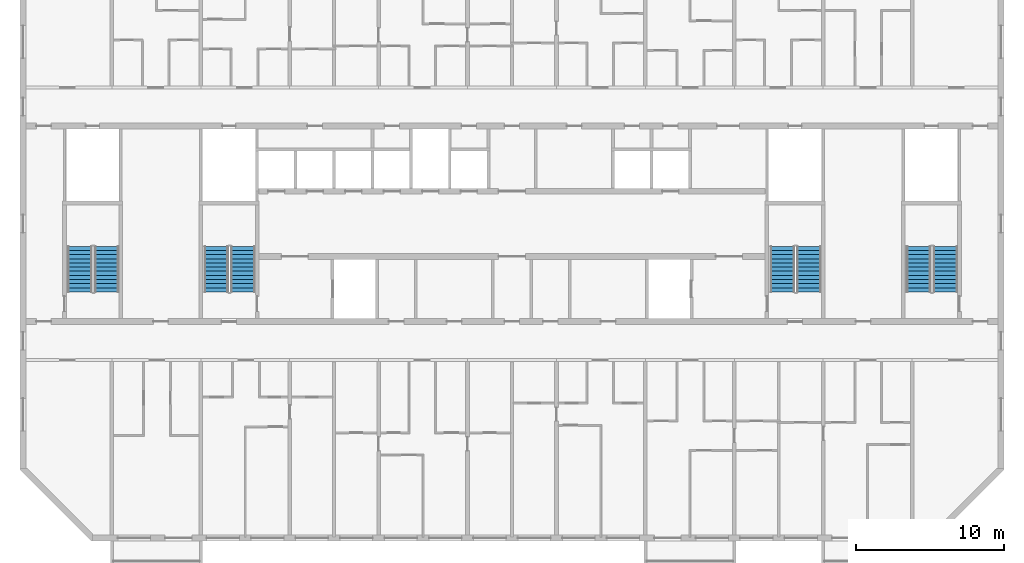
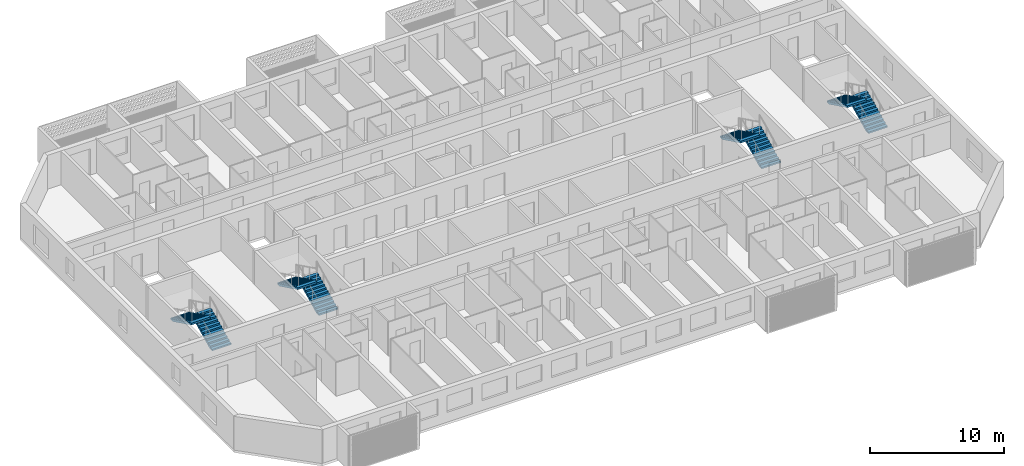
# One storey, part 12 of 28: 8 stair flights, 4 elements without a shape of their own.
"""IFC4 building model written with IfcOpenShell, lengths in metres."""

from ifc_helpers import new_model, si_unit, direction, frame, origin, place, context, subcontext, project, spatial, polyline, outline, extrude, material, layer, layer_set, type_object, element, aggregate, save


model = new_model("IFC4")

# Units and contexts
model_context = context("Model", 3, precision=1e-05, world=origin(), true_north=direction((0.0, 1.0)))
body_context = subcontext(model_context, "Body", "Model", "MODEL_VIEW")
ifc_project = project(units=[si_unit("LENGTHUNIT", "METRE"), si_unit("AREAUNIT", "SQUARE_METRE"), si_unit("VOLUMEUNIT", "CUBIC_METRE"), si_unit("PLANEANGLEUNIT", "RADIAN"), si_unit("MASSUNIT", "GRAM", prefix="KILO")], contexts=[model_context])

# Site, building, storey
site_placement = place(None, origin())
site = spatial("IfcSite", under=ifc_project, at=site_placement, CompositionType="ELEMENT")
building_placement = place(site_placement, origin())
building = spatial("IfcBuilding", under=site, at=building_placement, Name="Poui Terraces", CompositionType="ELEMENT")
storey_placement = place(building_placement, frame((0.0, 0.0, 181.800048828125)))
storey = spatial("IfcBuildingStorey", under=building, at=storey_placement, Name="L50", CompositionType="ELEMENT", Elevation=181.800048828125)

# Stair, stair flights
ifc_material = material(Name="Concrete 50 MPa", Category="concrete")
stair_type = type_object("IfcStairType", Name="EXIT STAIR 1650 50 MPA", PredefinedType="HALF_TURN_STAIR", material=ifc_material)
stair_1_placement = place(storey_placement, origin())
stair_1 = element("IfcStair", 1, at=stair_1_placement, inside=storey, type_object=stair_type, Name="L50 CORE STAIR EAST", PredefinedType="HALF_TURN_STAIR")
ifc_layer = layer(ifc_material, 0.14990234375)
ifc_layer_set = layer_set([ifc_layer], Name="Concrete 50 MPa")
stair_flight_type = type_object("IfcStairFlightType", Name="STAIR FLIGHT 12 RISERS 138 RISE 50 MPA", PredefinedType="STRAIGHT", material=ifc_layer_set)
stair_flight_1_placement = place(storey_placement, frame((71.050048828125, 16.60009765625, 0.0), z_axis=(0.0, 0.0, 1.0), x_axis=(0.0, 1.0, 0.0)))
stair_flight_1 = element("IfcStairFlight", 2, at=stair_flight_1_placement, type_object=stair_flight_type, Name="ST-CE flight 1", NumberOfRisers=12, NumberOfTreads=11, PredefinedType="STRAIGHT", RiserHeight=0.1375, TreadLength=0.28, context=body_context, shape_type="SweptSolid", body=[
    extrude(outline(polyline([(0.0, 0.0), (0.0, 0.137451171875), (0.280029296875, 0.137451171875), (0.280029296875, 0.27490234375), (0.56005859375, 0.27490234375), (0.56005859375, 0.41259765625), (0.840087890625, 0.41259765625), (0.840087890625, 0.550048828125), (1.1201171875, 0.550048828125), (1.1201171875, 0.6875), (1.39990234375, 0.6875), (1.39990234375, 0.824951171875), (1.679931640625, 0.824951171875), (1.679931640625, 0.96240234375), (1.9599609375, 0.96240234375), (1.9599609375, 1.10009765625), (2.239990234375, 1.10009765625), (2.239990234375, 1.237548828125), (2.52001953125, 1.237548828125), (2.52001953125, 1.375), (2.800048828125, 1.375), (2.800048828125, 1.512451171875), (3.080078125, 1.512451171875), (3.080078125, 1.64990234375), (3.080078125, 1.345458984375), (0.340087890625, 0.0), (0.0, 0.0)])), frame((0.0, 0.824951171875, 0.0), z_axis=(0.0, -1.0, 0.0), x_axis=(1.0, 0.0, 0.0)), (0.0, 0.0, 1.0), 1.64990234375),
])
stair_flight_2_placement = place(storey_placement, frame((69.25, 19.679931640625, 1.64990234375), z_axis=(0.0, 0.0, 1.0), x_axis=(0.0, -1.0, 0.0)))
stair_flight_2 = element("IfcStairFlight", 3, at=stair_flight_2_placement, type_object=stair_flight_type, Name="ST-CE flight 2", NumberOfRisers=12, NumberOfTreads=11, PredefinedType="STRAIGHT", RiserHeight=0.1375, TreadLength=0.28, context=body_context, shape_type="SweptSolid", body=[
    extrude(outline(polyline([(0.0, 0.0), (0.0, 0.137451171875), (0.280029296875, 0.137451171875), (0.280029296875, 0.27490234375), (0.56005859375, 0.27490234375), (0.56005859375, 0.41259765625), (0.840087890625, 0.41259765625), (0.840087890625, 0.550048828125), (1.1201171875, 0.550048828125), (1.1201171875, 0.6875), (1.39990234375, 0.6875), (1.39990234375, 0.824951171875), (1.679931640625, 0.824951171875), (1.679931640625, 0.96240234375), (1.9599609375, 0.96240234375), (1.9599609375, 1.10009765625), (2.239990234375, 1.10009765625), (2.239990234375, 1.237548828125), (2.52001953125, 1.237548828125), (2.52001953125, 1.375), (2.800048828125, 1.375), (2.800048828125, 1.512451171875), (3.080078125, 1.512451171875), (3.080078125, 1.64990234375), (3.080078125, 1.345458984375), (0.340087890625, 0.0), (0.0, 0.0)])), frame((0.0, 0.824951171875, 0.0), z_axis=(0.0, -1.0, 0.0), x_axis=(1.0, 0.0, 0.0)), (0.0, 0.0, 1.0), 1.64990234375),
])
aggregate(stair_1, [stair_flight_1, stair_flight_2])

stair_2_placement = place(storey_placement, origin())
stair_2 = element("IfcStair", 4, at=stair_2_placement, inside=storey, type_object=stair_type, Name="L50 CORE STAIR WEST", PredefinedType="HALF_TURN_STAIR")
stair_flight_3_placement = place(storey_placement, frame((32.85009765625, 16.60009765625, 0.0), z_axis=(0.0, 0.0, 1.0), x_axis=(0.0, 1.0, 0.0)))
stair_flight_3 = element("IfcStairFlight", 5, at=stair_flight_3_placement, type_object=stair_flight_type, Name="ST-CW flight 1", NumberOfRisers=12, NumberOfTreads=11, PredefinedType="STRAIGHT", RiserHeight=0.1375, TreadLength=0.28, context=body_context, shape_type="SweptSolid", body=[
    extrude(outline(polyline([(0.0, 0.0), (0.0, 0.137451171875), (0.280029296875, 0.137451171875), (0.280029296875, 0.27490234375), (0.56005859375, 0.27490234375), (0.56005859375, 0.41259765625), (0.840087890625, 0.41259765625), (0.840087890625, 0.550048828125), (1.1201171875, 0.550048828125), (1.1201171875, 0.6875), (1.39990234375, 0.6875), (1.39990234375, 0.824951171875), (1.679931640625, 0.824951171875), (1.679931640625, 0.96240234375), (1.9599609375, 0.96240234375), (1.9599609375, 1.10009765625), (2.239990234375, 1.10009765625), (2.239990234375, 1.237548828125), (2.52001953125, 1.237548828125), (2.52001953125, 1.375), (2.800048828125, 1.375), (2.800048828125, 1.512451171875), (3.080078125, 1.512451171875), (3.080078125, 1.64990234375), (3.080078125, 1.345458984375), (0.340087890625, 0.0), (0.0, 0.0)])), frame((0.0, 0.824951171875, 0.0), z_axis=(0.0, -1.0, 0.0), x_axis=(1.0, 0.0, 0.0)), (0.0, 0.0, 1.0), 1.64990234375),
])
stair_flight_4_placement = place(storey_placement, frame((31.050048828125, 19.679931640625, 1.64990234375), z_axis=(0.0, 0.0, 1.0), x_axis=(0.0, -1.0, 0.0)))
stair_flight_4 = element("IfcStairFlight", 6, at=stair_flight_4_placement, type_object=stair_flight_type, Name="ST-CW flight 2", NumberOfRisers=12, NumberOfTreads=11, PredefinedType="STRAIGHT", RiserHeight=0.1375, TreadLength=0.28, context=body_context, shape_type="SweptSolid", body=[
    extrude(outline(polyline([(0.0, 0.0), (0.0, 0.137451171875), (0.280029296875, 0.137451171875), (0.280029296875, 0.27490234375), (0.56005859375, 0.27490234375), (0.56005859375, 0.41259765625), (0.840087890625, 0.41259765625), (0.840087890625, 0.550048828125), (1.1201171875, 0.550048828125), (1.1201171875, 0.6875), (1.39990234375, 0.6875), (1.39990234375, 0.824951171875), (1.679931640625, 0.824951171875), (1.679931640625, 0.96240234375), (1.9599609375, 0.96240234375), (1.9599609375, 1.10009765625), (2.239990234375, 1.10009765625), (2.239990234375, 1.237548828125), (2.52001953125, 1.237548828125), (2.52001953125, 1.375), (2.800048828125, 1.375), (2.800048828125, 1.512451171875), (3.080078125, 1.512451171875), (3.080078125, 1.64990234375), (3.080078125, 1.345458984375), (0.340087890625, 0.0), (0.0, 0.0)])), frame((0.0, 0.824951171875, 0.0), z_axis=(0.0, -1.0, 0.0), x_axis=(1.0, 0.0, 0.0)), (0.0, 0.0, 1.0), 1.64990234375),
])
aggregate(stair_2, [stair_flight_3, stair_flight_4])

stair_3_placement = place(storey_placement, origin())
stair_3 = element("IfcStair", 7, at=stair_3_placement, inside=storey, type_object=stair_type, Name="L50 TIP STAIR EAST", PredefinedType="HALF_TURN_STAIR")
stair_flight_5_placement = place(storey_placement, frame((80.25, 16.60009765625, 0.0), z_axis=(0.0, 0.0, 1.0), x_axis=(0.0, 1.0, 0.0)))
stair_flight_5 = element("IfcStairFlight", 8, at=stair_flight_5_placement, type_object=stair_flight_type, Name="ST-E flight 1", NumberOfRisers=12, NumberOfTreads=11, PredefinedType="STRAIGHT", RiserHeight=0.1375, TreadLength=0.28, context=body_context, shape_type="SweptSolid", body=[
    extrude(outline(polyline([(0.0, 0.0), (0.0, 0.137451171875), (0.280029296875, 0.137451171875), (0.280029296875, 0.27490234375), (0.56005859375, 0.27490234375), (0.56005859375, 0.41259765625), (0.840087890625, 0.41259765625), (0.840087890625, 0.550048828125), (1.1201171875, 0.550048828125), (1.1201171875, 0.6875), (1.39990234375, 0.6875), (1.39990234375, 0.824951171875), (1.679931640625, 0.824951171875), (1.679931640625, 0.96240234375), (1.9599609375, 0.96240234375), (1.9599609375, 1.10009765625), (2.239990234375, 1.10009765625), (2.239990234375, 1.237548828125), (2.52001953125, 1.237548828125), (2.52001953125, 1.375), (2.800048828125, 1.375), (2.800048828125, 1.512451171875), (3.080078125, 1.512451171875), (3.080078125, 1.64990234375), (3.080078125, 1.345458984375), (0.340087890625, 0.0), (0.0, 0.0)])), frame((0.0, 0.824951171875, 0.0), z_axis=(0.0, -1.0, 0.0), x_axis=(1.0, 0.0, 0.0)), (0.0, 0.0, 1.0), 1.64990234375),
])
stair_flight_6_placement = place(storey_placement, frame((78.449951171875, 19.679931640625, 1.64990234375), z_axis=(0.0, 0.0, 1.0), x_axis=(0.0, -1.0, 0.0)))
stair_flight_6 = element("IfcStairFlight", 9, at=stair_flight_6_placement, type_object=stair_flight_type, Name="ST-E flight 2", NumberOfRisers=12, NumberOfTreads=11, PredefinedType="STRAIGHT", RiserHeight=0.1375, TreadLength=0.28, context=body_context, shape_type="SweptSolid", body=[
    extrude(outline(polyline([(0.0, 0.0), (0.0, 0.137451171875), (0.280029296875, 0.137451171875), (0.280029296875, 0.27490234375), (0.56005859375, 0.27490234375), (0.56005859375, 0.41259765625), (0.840087890625, 0.41259765625), (0.840087890625, 0.550048828125), (1.1201171875, 0.550048828125), (1.1201171875, 0.6875), (1.39990234375, 0.6875), (1.39990234375, 0.824951171875), (1.679931640625, 0.824951171875), (1.679931640625, 0.96240234375), (1.9599609375, 0.96240234375), (1.9599609375, 1.10009765625), (2.239990234375, 1.10009765625), (2.239990234375, 1.237548828125), (2.52001953125, 1.237548828125), (2.52001953125, 1.375), (2.800048828125, 1.375), (2.800048828125, 1.512451171875), (3.080078125, 1.512451171875), (3.080078125, 1.64990234375), (3.080078125, 1.345458984375), (0.340087890625, 0.0), (0.0, 0.0)])), frame((0.0, 0.824951171875, 0.0), z_axis=(0.0, -1.0, 0.0), x_axis=(1.0, 0.0, 0.0)), (0.0, 0.0, 1.0), 1.64990234375),
])
aggregate(stair_3, [stair_flight_5, stair_flight_6])

stair_4_placement = place(storey_placement, origin())
stair_4 = element("IfcStair", 10, at=stair_4_placement, inside=storey, type_object=stair_type, Name="L50 TIP STAIR WEST", PredefinedType="HALF_TURN_STAIR")
stair_flight_7_placement = place(storey_placement, frame((23.64990234375, 16.60009765625, 0.0), z_axis=(0.0, 0.0, 1.0), x_axis=(0.0, 1.0, 0.0)))
stair_flight_7 = element("IfcStairFlight", 11, at=stair_flight_7_placement, type_object=stair_flight_type, Name="ST-W flight 1", NumberOfRisers=12, NumberOfTreads=11, PredefinedType="STRAIGHT", RiserHeight=0.1375, TreadLength=0.28, context=body_context, shape_type="SweptSolid", body=[
    extrude(outline(polyline([(0.0, 0.0), (0.0, 0.137451171875), (0.280029296875, 0.137451171875), (0.280029296875, 0.27490234375), (0.56005859375, 0.27490234375), (0.56005859375, 0.41259765625), (0.840087890625, 0.41259765625), (0.840087890625, 0.550048828125), (1.1201171875, 0.550048828125), (1.1201171875, 0.6875), (1.39990234375, 0.6875), (1.39990234375, 0.824951171875), (1.679931640625, 0.824951171875), (1.679931640625, 0.96240234375), (1.9599609375, 0.96240234375), (1.9599609375, 1.10009765625), (2.239990234375, 1.10009765625), (2.239990234375, 1.237548828125), (2.52001953125, 1.237548828125), (2.52001953125, 1.375), (2.800048828125, 1.375), (2.800048828125, 1.512451171875), (3.080078125, 1.512451171875), (3.080078125, 1.64990234375), (3.080078125, 1.345458984375), (0.340087890625, 0.0), (0.0, 0.0)])), frame((0.0, 0.824951171875, 0.0), z_axis=(0.0, -1.0, 0.0), x_axis=(1.0, 0.0, 0.0)), (0.0, 0.0, 1.0), 1.64990234375),
])
stair_flight_8_placement = place(storey_placement, frame((21.85009765625, 19.679931640625, 1.64990234375), z_axis=(0.0, 0.0, 1.0), x_axis=(0.0, -1.0, 0.0)))
stair_flight_8 = element("IfcStairFlight", 12, at=stair_flight_8_placement, type_object=stair_flight_type, Name="ST-W flight 2", NumberOfRisers=12, NumberOfTreads=11, PredefinedType="STRAIGHT", RiserHeight=0.1375, TreadLength=0.28, context=body_context, shape_type="SweptSolid", body=[
    extrude(outline(polyline([(0.0, 0.0), (0.0, 0.137451171875), (0.280029296875, 0.137451171875), (0.280029296875, 0.27490234375), (0.56005859375, 0.27490234375), (0.56005859375, 0.41259765625), (0.840087890625, 0.41259765625), (0.840087890625, 0.550048828125), (1.1201171875, 0.550048828125), (1.1201171875, 0.6875), (1.39990234375, 0.6875), (1.39990234375, 0.824951171875), (1.679931640625, 0.824951171875), (1.679931640625, 0.96240234375), (1.9599609375, 0.96240234375), (1.9599609375, 1.10009765625), (2.239990234375, 1.10009765625), (2.239990234375, 1.237548828125), (2.52001953125, 1.237548828125), (2.52001953125, 1.375), (2.800048828125, 1.375), (2.800048828125, 1.512451171875), (3.080078125, 1.512451171875), (3.080078125, 1.64990234375), (3.080078125, 1.345458984375), (0.340087890625, 0.0), (0.0, 0.0)])), frame((0.0, 0.824951171875, 0.0), z_axis=(0.0, -1.0, 0.0), x_axis=(1.0, 0.0, 0.0)), (0.0, 0.0, 1.0), 1.64990234375),
])
aggregate(stair_4, [stair_flight_7, stair_flight_8])

save(model, "model.ifc")
